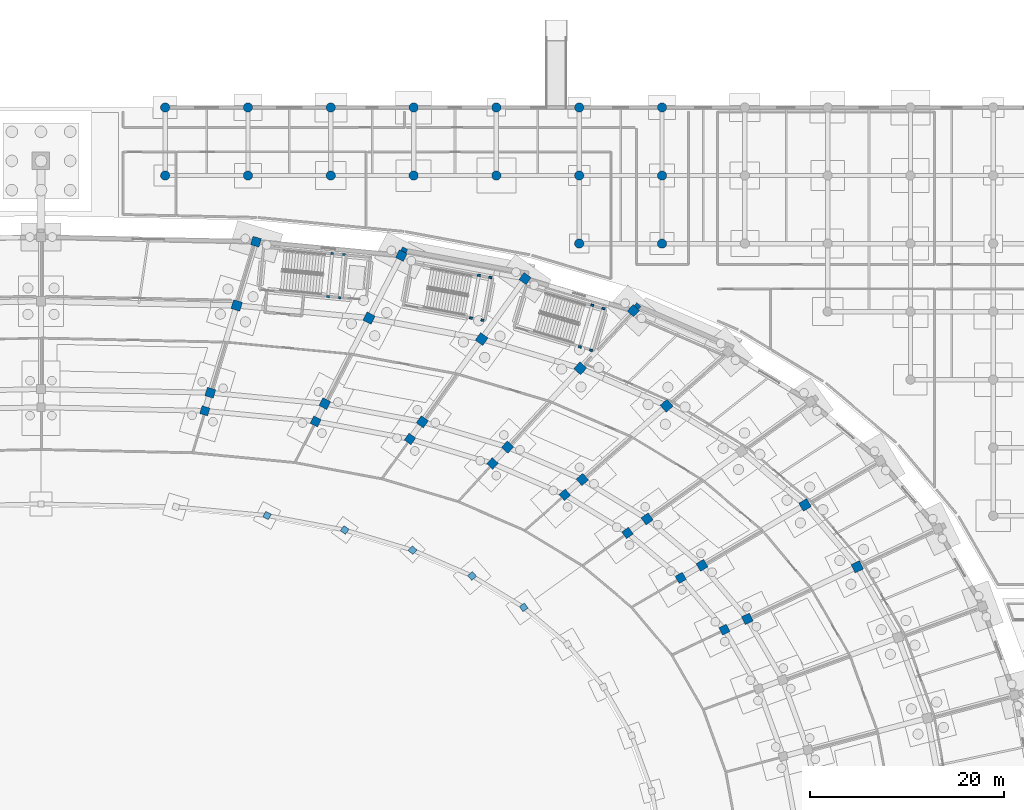
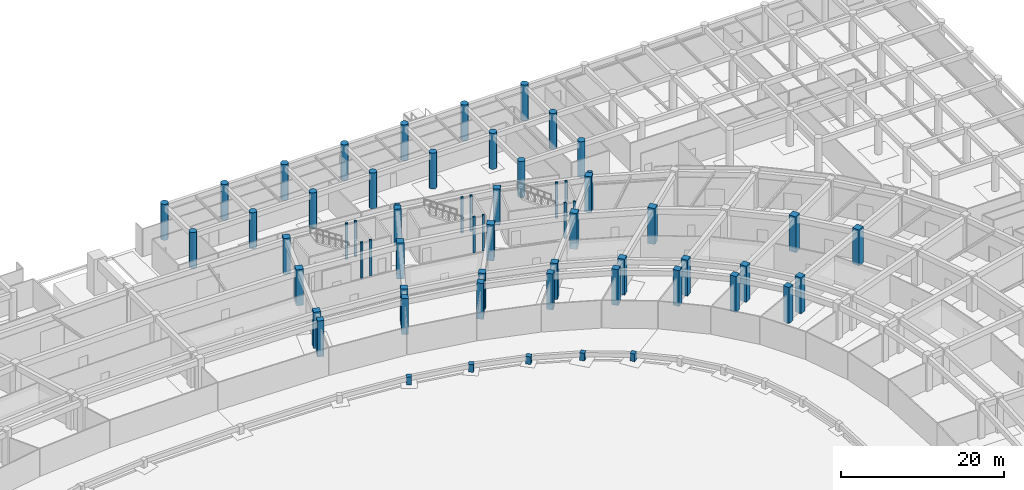
# One storey, part 23 of 88: 62 columns.
"""IFC4 building model written with IfcOpenShell, lengths in metres."""

from ifc_helpers import new_model, si_unit, direction, frame, origin, origin_2d, place, context, subcontext, project, spatial, rectangle, circle, extrude, material, material_profile, profile_set, type_object, element, save


model = new_model("IFC4")

# Units and contexts
model_context = context("Model", 3, precision=1e-05, world=origin(), true_north=direction((0.0, 1.0)))
body_context = subcontext(model_context, "Body", "Model", "MODEL_VIEW")
ifc_project = project(units=[si_unit("LENGTHUNIT", "METRE"), si_unit("AREAUNIT", "SQUARE_METRE"), si_unit("VOLUMEUNIT", "CUBIC_METRE"), si_unit("PLANEANGLEUNIT", "RADIAN"), si_unit("MASSUNIT", "GRAM", prefix="KILO")], contexts=[model_context])

# Site, building, storey
site_placement = place(None, origin())
site = spatial("IfcSite", under=ifc_project, at=site_placement, CompositionType="ELEMENT")
building_placement = place(site_placement, origin())
building = spatial("IfcBuilding", under=site, at=building_placement, Name="Mphavela Belvedere Stadium", CompositionType="ELEMENT")
storey_placement = place(building_placement, origin())
storey = spatial("IfcBuildingStorey", under=building, at=storey_placement, Name="L00", CompositionType="ELEMENT", Elevation=0.0)

# Columns
ifc_material_1 = material(Name="Concrete C40/50", Category="concrete")
ifc_material_profile_1 = material_profile(ifc_material_1, rectangle(XDim=0.300048828125, YDim=0.219970703125, at=origin_2d()), Name="RC 300x220")
ifc_profile_set_1 = profile_set([ifc_material_profile_1], Name="Concrete C40/50")
column_type_1 = type_object("IfcColumnType", Name="COL-CORE-POST-300", PredefinedType="COLUMN", material=ifc_profile_set_1)
for number, where, z_axis, x_axis, name in (
    (1, (144.53515625, 154.541259765625, 0.0), (0.0, 0.0, 1.0), (0.995479460536, -0.094977069084, 0.0), "Core C03 stair frame column L00-1"),
    (2, (145.729736328125, 154.42724609375, 0.0), (0.0, 0.0, 1.0), (0.995479460536, -0.094977069084, 0.0), "Core C03 stair frame column L00-2"),
    (3, (146.154296875, 158.877197265625, 0.0), (0.0, 0.0, 1.0), (0.995479460536, -0.094977069084, 0.0), "Core C03 stair frame column L00-3"),
    (4, (144.959716796875, 158.990966796875, 0.0), (0.0, 0.0, 1.0), (0.995479460536, -0.094977069084, 0.0), "Core C03 stair frame column L00-4"),
    (5, (170.44189453125, 149.372802734375, 0.0), (0.0, 0.0, 1.0), (0.958670893355, -0.284517342588, 0.0), "Core P01 stair frame column L00-1"),
    (6, (171.59228515625, 149.031494140625, 0.0), (0.0, 0.0, 1.0), (0.958670893355, -0.284517342588, 0.0), "Core P01 stair frame column L00-2"),
    (7, (172.8642578125, 153.316650390625, 0.0), (0.0, 0.0, 1.0), (0.958670893355, -0.284517342588, 0.0), "Core P01 stair frame column L00-3"),
    (8, (171.7138671875, 153.658203125, 0.0), (0.0, 0.0, 1.0), (0.958670893355, -0.284517342588, 0.0), "Core P01 stair frame column L00-4"),
    (9, (159.233154296875, 152.34033203125, 0.0), (0.0, 0.0, 1.0), (0.983095502692, -0.183093507769, 0.0), "Core P02 stair frame column L00-1"),
    (10, (160.4130859375, 152.12060546875, 0.0), (0.0, 0.0, 1.0), (0.983095502692, -0.183093507769, 0.0), "Core P02 stair frame column L00-2"),
    (11, (161.2314453125, 156.514892578125, 0.0), (0.0, 0.0, 1.0), (0.983095502692, -0.183093507769, 0.0), "Core P02 stair frame column L00-3"),
    (12, (160.0517578125, 156.734619140625, 0.0), (0.0, 0.0, 1.0), (0.983095502692, -0.183093507769, 0.0), "Core P02 stair frame column L00-4"),
):
    element("IfcColumn", number, at=place(storey_placement, frame(where, z_axis=z_axis, x_axis=x_axis)), inside=storey, type_object=column_type_1, Name=name, PredefinedType="COLUMN", context=body_context, shape_type="SweptSolid", body=[
        extrude(rectangle(XDim=0.300048828125, YDim=0.219970703125, at=origin_2d()), origin(), (0.0, 0.0, 1.0), 5.39990234375),
    ])
ifc_material_2 = material(Name="Concrete C40/50", Category="concrete")
ifc_material_profile_2 = material_profile(ifc_material_2, circle(Radius=0.47509765625, at=origin_2d()), Name="COL D950")
ifc_profile_set_2 = profile_set([ifc_material_profile_2], Name="Concrete C40/50")
column_type_2 = type_object("IfcColumnType", Name="COL-DORIC-950", PredefinedType="COLUMN", material=ifc_profile_set_2)
for number, where, z_axis, x_axis, name in (
    (13, (127.778076171875, 167.0, 0.0), (0.0, 0.0, 1.0), (1.0, 0.0, 0.0), "North Mast and Ceremonial End Forecourt classical column L00 16-7"),
    (14, (127.778076171875, 174.0, 0.0), (0.0, 0.0, 1.0), (1.0, 0.0, 0.0), "North Mast and Ceremonial End Forecourt classical column L00 16-8"),
    (15, (136.2958984375, 167.0, 0.0), (0.0, 0.0, 1.0), (1.0, 0.0, 0.0), "North Mast and Ceremonial End Forecourt classical column L00 17-7"),
    (16, (136.2958984375, 174.0, 0.0), (0.0, 0.0, 1.0), (1.0, 0.0, 0.0), "North Mast and Ceremonial End Forecourt classical column L00 17-8"),
    (17, (144.81494140625, 167.0, 0.0), (0.0, 0.0, 1.0), (1.0, 0.0, 0.0), "North Mast and Ceremonial End Forecourt classical column L00 18-7"),
    (18, (144.81494140625, 174.0, 0.0), (0.0, 0.0, 1.0), (1.0, 0.0, 0.0), "North Mast and Ceremonial End Forecourt classical column L00 18-8"),
    (19, (153.3330078125, 167.0, 0.0), (0.0, 0.0, 1.0), (1.0, 0.0, 0.0), "North Mast and Ceremonial End Forecourt classical column L00 19-7"),
    (20, (153.3330078125, 174.0, 0.0), (0.0, 0.0, 1.0), (1.0, 0.0, 0.0), "North Mast and Ceremonial End Forecourt classical column L00 19-8"),
    (21, (161.85205078125, 167.0, 0.0), (0.0, 0.0, 1.0), (1.0, 0.0, 0.0), "North Mast and Ceremonial End Forecourt classical column L00 20-7"),
    (22, (161.85205078125, 174.0, 0.0), (0.0, 0.0, 1.0), (1.0, 0.0, 0.0), "North Mast and Ceremonial End Forecourt classical column L00 20-8"),
    (23, (170.3701171875, 160.0, 0.0), (0.0, 0.0, 1.0), (1.0, 0.0, 0.0), "North Mast and Ceremonial End Forecourt classical column L00 21-6"),
    (24, (170.3701171875, 167.0, 0.0), (0.0, 0.0, 1.0), (1.0, 0.0, 0.0), "North Mast and Ceremonial End Forecourt classical column L00 21-7"),
    (25, (170.3701171875, 174.0, 0.0), (0.0, 0.0, 1.0), (1.0, 0.0, 0.0), "North Mast and Ceremonial End Forecourt classical column L00 21-8"),
    (26, (178.888916015625, 160.0, 0.0), (0.0, 0.0, 1.0), (1.0, 0.0, 0.0), "North Mast and Ceremonial End Forecourt classical column L00 22-6"),
    (27, (178.888916015625, 167.0, 0.0), (0.0, 0.0, 1.0), (1.0, 0.0, 0.0), "North Mast and Ceremonial End Forecourt classical column L00 22-7"),
    (28, (178.888916015625, 174.0, 0.0), (0.0, 0.0, 1.0), (1.0, 0.0, 0.0), "North Mast and Ceremonial End Forecourt classical column L00 22-8"),
):
    element("IfcColumn", number, at=place(storey_placement, frame(where, z_axis=z_axis, x_axis=x_axis)), inside=storey, type_object=column_type_2, Name=name, PredefinedType="COLUMN", context=body_context, shape_type="SweptSolid", body=[
        extrude(circle(Radius=0.47509765625, at=origin_2d()), origin(), (0.0, 0.0, 1.0), 5.39990234375),
    ])
ifc_material_3 = material(Name="Concrete C40/50", Category="concrete")
ifc_material_profile_3 = material_profile(ifc_material_3, rectangle(XDim=0.64990234375, YDim=0.64990234375, at=origin_2d()), Name="RC 650x650")
ifc_profile_set_3 = profile_set([ifc_material_profile_3], Name="Concrete C40/50")
column_type_3 = type_object("IfcColumnType", Name="COL-RC650", PredefinedType="COLUMN", material=ifc_profile_set_3)
for number, where, z_axis, x_axis, name in (
    (29, (164.658935546875, 122.580322265625, 0.0), (0.0, 0.0, 1.0), (0.812897512265, 0.582406760395, 0.0), "Lower tier plinth column 07"),
    (30, (159.351806640625, 125.80908203125, 0.0), (0.0, 0.0, 1.0), (0.752529860433, 0.658558128912, 0.0), "Lower tier plinth column 08"),
    (31, (153.229736328125, 128.462890625, 0.0), (0.0, 0.0, 1.0), (0.677903094969, 0.735151272753, 0.0), "Lower tier plinth column 09"),
    (32, (146.2431640625, 130.53662109375, 0.0), (0.0, 0.0, 1.0), (0.582974127943, 0.812490717577, 0.0), "Lower tier plinth column 10"),
    (33, (138.258056640625, 132.02392578125, 0.0), (0.0, 0.0, 1.0), (0.458959712465, 0.888457079624, 0.0), "Lower tier plinth column 11"),
):
    element("IfcColumn", number, at=place(storey_placement, frame(where, z_axis=z_axis, x_axis=x_axis)), inside=storey, type_object=column_type_3, Name=name, PredefinedType="COLUMN", context=body_context, shape_type="SweptSolid", body=[
        extrude(rectangle(XDim=0.64990234375, YDim=0.64990234375, at=origin_2d()), origin(), (0.0, 0.0, 1.0), 1.14990234375),
    ])
ifc_material_4 = material(Name="Concrete C40/50", Category="concrete")
ifc_material_profile_4 = material_profile(ifc_material_4, rectangle(XDim=0.85009765625, YDim=0.85009765625, at=origin_2d()), Name="RC 850x850")
ifc_profile_set_4 = profile_set([ifc_material_profile_4], Name="Concrete C40/50")
column_type_4 = type_object("IfcColumnType", Name="COL-RC850", PredefinedType="COLUMN", material=ifc_profile_set_4)
for number, where, z_axis, x_axis, name in (
    (34, (185.31298828125, 120.281494140625, 0.0), (0.0, 0.0, 1.0), (0.903858661687, 0.4278311813, 0.0), "Inner concourse column L00 R1-05"),
    (35, (180.8125, 125.611328125, 0.0), (0.0, 0.0, 1.0), (0.862513669207, 0.506033764121, 0.0), "Inner concourse column L00 R1-06"),
    (36, (175.33740234375, 130.2314453125, 0.0), (0.0, 0.0, 1.0), (0.812897512265, 0.582406760395, 0.0), "Inner concourse column L00 R1-07"),
    (37, (168.88916015625, 134.154296875, 0.0), (0.0, 0.0, 1.0), (0.752529860433, 0.658558128912, 0.0), "Inner concourse column L00 R1-08"),
    (38, (161.450439453125, 137.37890625, 0.0), (0.0, 0.0, 1.0), (0.677903094969, 0.735151272753, 0.0), "Inner concourse column L00 R1-09"),
    (39, (152.961669921875, 139.898681640625, 0.0), (0.0, 0.0, 1.0), (0.582974127943, 0.812490717577, 0.0), "Inner concourse column L00 R1-10"),
    (40, (143.25927734375, 141.705810546875, 0.0), (0.0, 0.0, 1.0), (0.458959712465, 0.888457079624, 0.0), "Inner concourse column L00 R1-11"),
    (41, (131.857177734375, 142.79296875, 0.0), (0.0, 0.0, 1.0), (0.289198876314, 0.957269037387, 0.0), "Inner concourse column L00 R1-12"),
):
    element("IfcColumn", number, at=place(storey_placement, frame(where, z_axis=z_axis, x_axis=x_axis)), inside=storey, type_object=column_type_4, Name=name, PredefinedType="COLUMN", context=body_context, shape_type="SweptSolid", body=[
        extrude(rectangle(XDim=0.85009765625, YDim=0.85009765625, at=origin_2d()), origin(), (0.0, 0.0, 1.0), 5.39990234375),
    ])
ifc_material_5 = material(Name="Concrete C40/50", Category="concrete")
ifc_material_profile_5 = material_profile(ifc_material_5, rectangle(XDim=0.89990234375, YDim=0.89990234375, at=origin_2d()), Name="RC 900x900")
ifc_profile_set_5 = profile_set([ifc_material_profile_5], Name="Concrete C40/50")
column_type_5 = type_object("IfcColumnType", Name="COL-RC900", PredefinedType="COLUMN", material=ifc_profile_set_5)
for number, where, z_axis, x_axis, name in (
    (42, (187.66259765625, 121.393798828125, 0.0), (0.0, 0.0, 1.0), (0.903858661687, 0.4278311813, 0.0), "Middle concourse column L00 R2-05"),
    (43, (183.01171875, 126.901611328125, 0.0), (0.0, 0.0, 1.0), (0.862513669207, 0.506033764121, 0.0), "Middle concourse column L00 R2-06"),
    (44, (177.353759765625, 131.676025390625, 0.0), (0.0, 0.0, 1.0), (0.812897512265, 0.582406760395, 0.0), "Middle concourse column L00 R2-07"),
    (45, (170.68994140625, 135.72998046875, 0.0), (0.0, 0.0, 1.0), (0.752529860433, 0.658558128912, 0.0), "Middle concourse column L00 R2-08"),
    (46, (163.002685546875, 139.0625, 0.0), (0.0, 0.0, 1.0), (0.677903094969, 0.735151272753, 0.0), "Middle concourse column L00 R2-09"),
    (47, (175.9375, 153.09130859375, 0.0), (0.0, 0.0, 1.0), (0.677903094969, 0.735151272753, 0.0), "Outer colonnade column L00 R4-09"),
    (48, (154.230224609375, 141.66650390625, 0.0), (0.0, 0.0, 1.0), (0.582974127943, 0.812490717577, 0.0), "Middle concourse column L00 R2-10"),
    (49, (164.80126953125, 156.39697265625, 0.0), (0.0, 0.0, 1.0), (0.582974127943, 0.812490717577, 0.0), "Outer colonnade column L00 R4-10"),
    (50, (144.20361328125, 143.53369140625, 0.0), (0.0, 0.0, 1.0), (0.458959712465, 0.888457079624, 0.0), "Middle concourse column L00 R2-11"),
    (51, (152.07275390625, 158.767333984375, 0.0), (0.0, 0.0, 1.0), (0.458959712465, 0.888457079624, 0.0), "Outer colonnade column L00 R4-11"),
    (52, (132.42041015625, 144.657470703125, 0.0), (0.0, 0.0, 1.0), (0.289198876314, 0.957269037387, 0.0), "Middle concourse column L00 R2-12"),
    (53, (137.114501953125, 160.19384765625, 0.0), (0.0, 0.0, 1.0), (0.289198876314, 0.957269037387, 0.0), "Outer colonnade column L00 R4-12"),
):
    element("IfcColumn", number, at=place(storey_placement, frame(where, z_axis=z_axis, x_axis=x_axis)), inside=storey, type_object=column_type_5, Name=name, PredefinedType="COLUMN", context=body_context, shape_type="SweptSolid", body=[
        extrude(rectangle(XDim=0.89990234375, YDim=0.89990234375, at=origin_2d()), origin(), (0.0, 0.0, 1.0), 5.39990234375),
    ])
ifc_material_6 = material(Name="Concrete C40/50", Category="concrete")
ifc_material_profile_6 = material_profile(ifc_material_6, rectangle(XDim=0.949951171875, YDim=0.949951171875, at=origin_2d()), Name="RC 950x950")
ifc_profile_set_6 = profile_set([ifc_material_profile_6], Name="Concrete C40/50")
column_type_6 = type_object("IfcColumnType", Name="COL-RC950", PredefinedType="COLUMN", material=ifc_profile_set_6)
for number, where, z_axis, x_axis, name in (
    (54, (198.9755859375, 126.748291015625, 0.0), (0.0, 0.0, 1.0), (0.903858661687, 0.4278311813, 0.0), "Main bowl column L00 R3-05"),
    (55, (193.600341796875, 133.11376953125, 0.0), (0.0, 0.0, 1.0), (0.862513669207, 0.506033764121, 0.0), "Main bowl column L00 R3-06"),
    (56, (179.360107421875, 143.31689453125, 0.0), (0.0, 0.0, 1.0), (0.752529860433, 0.658558128912, 0.0), "Main bowl column L00 R3-08"),
    (57, (170.476318359375, 147.16796875, 0.0), (0.0, 0.0, 1.0), (0.677903094969, 0.735151272753, 0.0), "Main bowl column L00 R3-09"),
    (58, (160.337890625, 150.177490234375, 0.0), (0.0, 0.0, 1.0), (0.582974127943, 0.812490717577, 0.0), "Main bowl column L00 R3-10"),
    (59, (148.750244140625, 152.33544921875, 0.0), (0.0, 0.0, 1.0), (0.458959712465, 0.888457079624, 0.0), "Main bowl column L00 R3-11"),
    (60, (135.1328125, 153.634033203125, 0.0), (0.0, 0.0, 1.0), (0.289198876314, 0.957269037387, 0.0), "Main bowl column L00 R3-12"),
):
    element("IfcColumn", number, at=place(storey_placement, frame(where, z_axis=z_axis, x_axis=x_axis)), inside=storey, type_object=column_type_6, Name=name, PredefinedType="COLUMN", context=body_context, shape_type="SweptSolid", body=[
        extrude(rectangle(XDim=0.949951171875, YDim=0.949951171875, at=origin_2d()), origin(), (0.0, 0.0, 1.0), 5.39990234375),
    ])
ifc_material_7 = material(Name="Concrete C40/50", Category="concrete")
ifc_material_profile_7 = material_profile(ifc_material_7, rectangle(XDim=0.60009765625, YDim=0.39990234375, at=origin_2d()), Name="PIL 600x400")
ifc_profile_set_7 = profile_set([ifc_material_profile_7], Name="Concrete C40/50")
column_type_7 = type_object("IfcColumnType", Name="PIL-FLUTED-600", PredefinedType="PILASTER", material=ifc_profile_set_7)
for number, where, z_axis, x_axis, name in (
    (61, (176.38037109375, 153.5712890625, 0.0), (0.0, 0.0, 1.0), (-0.735151272753, 0.677903094969, 0.0), "Fluted classical pilaster L00-09"),
    (62, (152.37255859375, 159.34765625, 0.0), (0.0, 0.0, 1.0), (-0.888457079624, 0.458959712465, 0.0), "Fluted classical pilaster L00-11"),
):
    element("IfcColumn", number, at=place(storey_placement, frame(where, z_axis=z_axis, x_axis=x_axis)), inside=storey, type_object=column_type_7, Name=name, PredefinedType="PILASTER", context=body_context, shape_type="SweptSolid", body=[
        extrude(rectangle(XDim=0.60009765625, YDim=0.39990234375, at=origin_2d()), origin(), (0.0, 0.0, 1.0), 5.39990234375),
    ])

save(model, "model.ifc")
